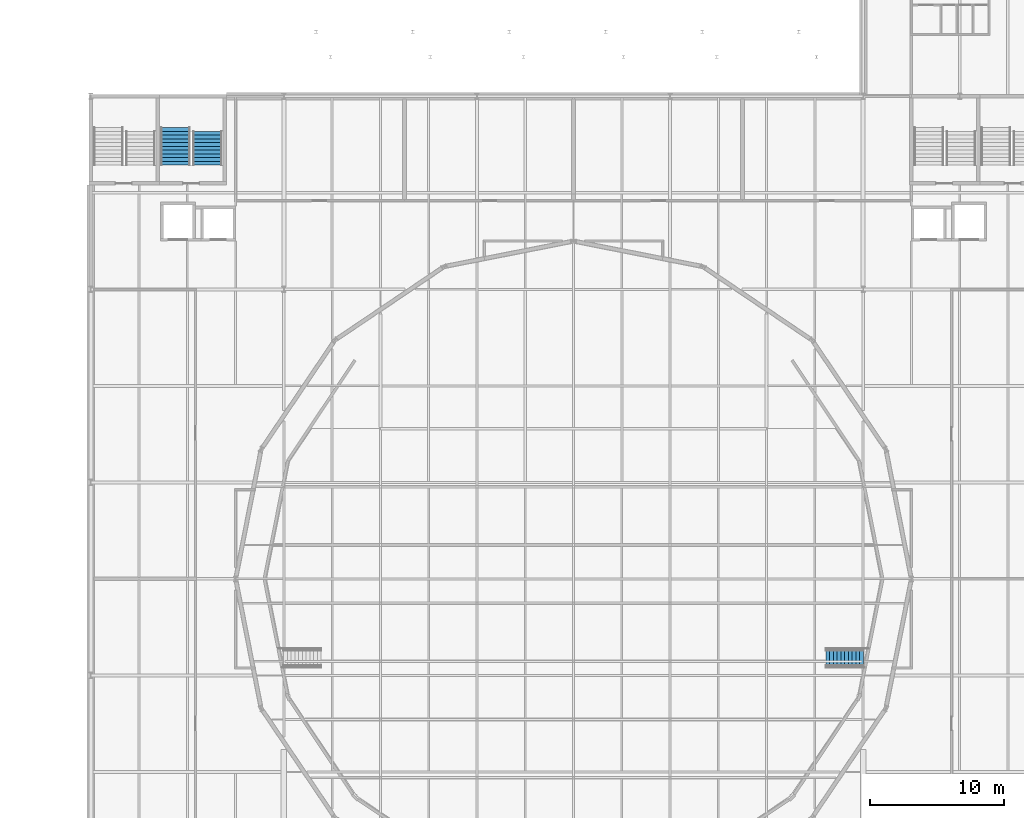
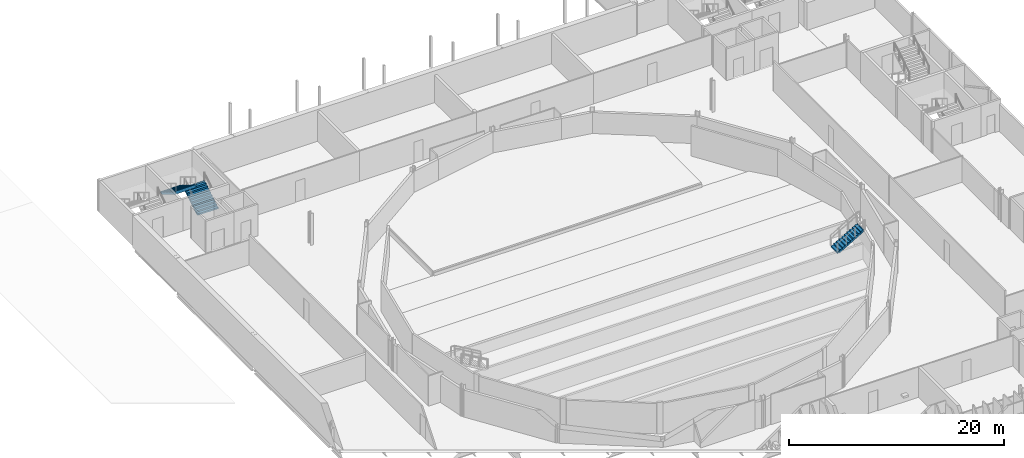
# One storey, part 69 of 90: 3 stair flights, 2 elements without a shape of their own.
"""IFC4 building model written with IfcOpenShell, lengths in metres."""

from ifc_helpers import new_model, si_unit, direction, frame, origin, place, context, subcontext, project, spatial, polyline, outline, extrude, material, type_object, element, aggregate, save


model = new_model("IFC4")

# Units and contexts
model_context = context("Model", 3, precision=1e-05, world=origin(), true_north=direction((0.0, 1.0)))
body_context = subcontext(model_context, "Body", "Model", "MODEL_VIEW")
ifc_project = project(units=[si_unit("LENGTHUNIT", "METRE"), si_unit("AREAUNIT", "SQUARE_METRE"), si_unit("VOLUMEUNIT", "CUBIC_METRE"), si_unit("PLANEANGLEUNIT", "RADIAN"), si_unit("MASSUNIT", "GRAM", prefix="KILO")], contexts=[model_context])

# Site, building, storey
site_placement = place(None, origin())
site = spatial("IfcSite", under=ifc_project, at=site_placement, CompositionType="ELEMENT")
building_placement = place(site_placement, origin())
building = spatial("IfcBuilding", under=site, at=building_placement, Name="Kupolbacken Congress Centre", CompositionType="ELEMENT")
storey_placement = place(building_placement, frame((0.0, 0.0, 3.60009765625)))
storey = spatial("IfcBuildingStorey", under=building, at=storey_placement, Name="L01", CompositionType="ELEMENT", Elevation=3.60009765625)

# Stair, stair flights
ifc_material_1 = material(Name="Concrete C30/37", Category="concrete")
stair_type_1 = type_object("IfcStairType", Name="ST13 stair 2200", PredefinedType="TWO_STRAIGHT_RUN_STAIR", material=ifc_material_1)
stair_1_placement = place(storey_placement, origin())
stair_1 = element("IfcStair", 1, at=stair_1_placement, inside=storey, type_object=stair_type_1, Name="C/stair/PS2NW/L01", PredefinedType="NOTDEFINED")
ifc_material_2 = material(Name="Concrete C30/37", Category="concrete")
stair_flight_type_1 = type_object("IfcStairFlightType", Name="FL13 stair flight 2200 x 10 risers", PredefinedType="STRAIGHT", material=ifc_material_2)
stair_flight_1_placement = place(storey_placement, frame((15.89990234375, 117.2548828125, 0.0), z_axis=(0.0, 0.0, 1.0), x_axis=(0.0, 1.0, 0.0)))
stair_flight_1 = element("IfcStairFlight", 2, at=stair_flight_1_placement, type_object=stair_flight_type_1, Name="PS2NW flight 1", NumberOfRisers=10, NumberOfTreads=9, PredefinedType="STRAIGHT", RiserHeight=0.171428571, TreadLength=0.28, context=body_context, shape_type="SweptSolid", body=[
    extrude(outline(polyline([(0.0, 0.0), (0.0, 0.0009765625), (0.0, 0.002197265625), (0.0, 0.003173828125), (0.0, 0.004150390625), (0.0, 0.00537109375), (0.0, 0.00634765625), (0.0, 0.007568359375), (0.0, 0.008544921875), (0.0, 0.009521484375), (0.0, 0.0107421875), (0.0, 0.01171875), (0.0, 0.0126953125), (0.0, 0.013916015625), (0.0, 0.014892578125), (0.0, 0.015869140625), (0.0, 0.01708984375), (0.0, 0.01806640625), (0.0, 0.019287109375), (0.0, 0.020263671875), (0.0, 0.021240234375), (0.0, 0.0224609375), (0.0, 0.0234375), (0.0, 0.0244140625), (0.0, 0.025634765625), (0.0, 0.026611328125), (0.0, 0.027587890625), (0.0, 0.02880859375), (0.0, 0.02978515625), (0.0, 0.03076171875), (0.0, 0.031982421875), (0.0, 0.032958984375), (0.0, 0.0341796875), (0.0, 0.03515625), (0.0, 0.0361328125), (0.0, 0.037353515625), (0.0, 0.038330078125), (0.0, 0.039306640625), (0.0, 0.04052734375), (0.0, 0.04150390625), (0.0, 0.04248046875), (0.0, 0.043701171875), (0.0, 0.044677734375), (0.0, 0.0458984375), (0.0, 0.046875), (0.0, 0.0478515625), (0.0, 0.049072265625), (0.0, 0.050048828125), (0.0, 0.051025390625), (0.0, 0.05224609375), (0.0, 0.05322265625), (0.0, 0.05419921875), (0.0, 0.055419921875), (0.0, 0.056396484375), (0.0, 0.0576171875), (0.0, 0.05859375), (0.0, 0.0595703125), (0.0, 0.060791015625), (0.0, 0.061767578125), (0.0, 0.062744140625), (0.0, 0.06396484375), (0.0, 0.06494140625), (0.0, 0.06591796875), (0.0, 0.067138671875), (0.0, 0.068115234375), (0.0, 0.069091796875), (0.0, 0.0703125), (0.0, 0.0712890625), (0.0, 0.072509765625), (0.0, 0.073486328125), (0.0, 0.074462890625), (0.0, 0.07568359375), (0.0, 0.07666015625), (0.0, 0.07763671875), (0.0, 0.078857421875), (0.0, 0.079833984375), (0.0, 0.080810546875), (0.0, 0.08203125), (0.0, 0.0830078125), (0.0, 0.084228515625), (0.0, 0.085205078125), (0.0, 0.086181640625), (0.0, 0.08740234375), (0.0, 0.08837890625), (0.0, 0.08935546875), (0.0, 0.090576171875), (0.0, 0.091552734375), (0.0, 0.092529296875), (0.0, 0.09375), (0.0, 0.0947265625), (0.0, 0.095947265625), (0.0, 0.096923828125), (0.0, 0.097900390625), (0.0, 0.09912109375), (0.0, 0.10009765625), (0.0, 0.10107421875), (0.0, 0.102294921875), (0.0, 0.103271484375), (0.0, 0.104248046875), (0.0, 0.10546875), (0.0, 0.1064453125), (0.0, 0.107421875), (0.0, 0.108642578125), (0.0, 0.109619140625), (0.0, 0.11083984375), (0.0, 0.11181640625), (0.0, 0.11279296875), (0.0, 0.114013671875), (0.0, 0.114990234375), (0.0, 0.115966796875), (0.0, 0.1171875), (0.0, 0.1181640625), (0.0, 0.119140625), (0.0, 0.120361328125), (0.0, 0.121337890625), (0.0, 0.12255859375), (0.0, 0.12353515625), (0.0, 0.12451171875), (0.0, 0.125732421875), (0.0, 0.126708984375), (0.0, 0.127685546875), (0.0, 0.12890625), (0.0, 0.1298828125), (0.0, 0.130859375), (0.0, 0.132080078125), (0.0, 0.133056640625), (0.0, 0.13427734375), (0.0, 0.13525390625), (0.0, 0.13623046875), (0.0, 0.137451171875), (0.0, 0.138427734375), (0.0, 0.139404296875), (0.0, 0.140625), (0.0, 0.1416015625), (0.0, 0.142578125), (0.0, 0.143798828125), (0.0, 0.144775390625), (0.0, 0.145751953125), (0.0, 0.14697265625), (0.0, 0.14794921875), (0.0, 0.149169921875), (0.0, 0.150146484375), (0.0, 0.151123046875), (0.0, 0.15234375), (0.0, 0.1533203125), (0.0, 0.154296875), (0.0, 0.155517578125), (0.0, 0.156494140625), (0.0, 0.157470703125), (0.0, 0.15869140625), (0.0, 0.15966796875), (0.0, 0.160888671875), (0.0, 0.161865234375), (0.0, 0.162841796875), (0.0, 0.1640625), (0.0, 0.1650390625), (0.0, 0.166015625), (0.0, 0.167236328125), (0.0, 0.168212890625), (0.0, 0.169189453125), (0.0, 0.17041015625), (0.0, 0.17138671875), (0.280029296875, 0.17138671875), (0.280029296875, 0.3427734375), (0.56005859375, 0.3427734375), (0.56005859375, 0.514404296875), (0.840087890625, 0.514404296875), (0.840087890625, 0.685791015625), (1.1201171875, 0.685791015625), (1.1201171875, 0.857177734375), (1.39990234375, 0.857177734375), (1.39990234375, 1.028564453125), (1.679931640625, 1.028564453125), (1.679931640625, 1.199951171875), (1.9599609375, 1.199951171875), (1.9599609375, 1.371337890625), (2.239990234375, 1.371337890625), (2.239990234375, 1.54296875), (2.52001953125, 1.54296875), (2.52001953125, 1.71435546875), (2.52197265625, 1.71435546875), (2.52197265625, 1.712158203125), (2.52197265625, 1.7099609375), (2.52197265625, 1.707763671875), (2.52197265625, 1.70556640625), (2.52197265625, 1.70361328125), (2.52197265625, 1.701416015625), (2.52197265625, 1.69921875), (2.52197265625, 1.697021484375), (2.52197265625, 1.69482421875), (2.52197265625, 1.692626953125), (2.52197265625, 1.690673828125), (2.52197265625, 1.6884765625), (2.52197265625, 1.686279296875), (2.52197265625, 1.68408203125), (2.52197265625, 1.681884765625), (2.52197265625, 1.6796875), (2.52197265625, 1.677734375), (2.52197265625, 1.675537109375), (2.52197265625, 1.67333984375), (2.52197265625, 1.671142578125), (2.52197265625, 1.6689453125), (2.52197265625, 1.666748046875), (2.52197265625, 1.664794921875), (2.52197265625, 1.66259765625), (2.52197265625, 1.660400390625), (2.52197265625, 1.658203125), (2.52197265625, 1.656005859375), (2.52197265625, 1.65380859375), (2.52197265625, 1.65185546875), (2.52197265625, 1.649658203125), (2.52197265625, 1.6474609375), (2.52197265625, 1.645263671875), (2.52197265625, 1.64306640625), (2.52197265625, 1.640869140625), (2.52197265625, 1.638916015625), (2.52197265625, 1.63671875), (2.52197265625, 1.634521484375), (2.52197265625, 1.63232421875), (2.52197265625, 1.630126953125), (2.52197265625, 1.6279296875), (2.52197265625, 1.6259765625), (2.52197265625, 1.623779296875), (2.52197265625, 1.62158203125), (2.52197265625, 1.619384765625), (2.52197265625, 1.6171875), (2.52197265625, 1.614990234375), (2.52197265625, 1.613037109375), (2.52197265625, 1.61083984375), (2.52197265625, 1.608642578125), (2.52197265625, 1.6064453125), (2.52197265625, 1.604248046875), (2.52197265625, 1.60205078125), (2.52197265625, 1.60009765625), (2.52197265625, 1.597900390625), (2.52197265625, 1.595703125), (2.52197265625, 1.593505859375), (2.52197265625, 1.59130859375), (2.52197265625, 1.589111328125), (2.52197265625, 1.587158203125), (2.52197265625, 1.5849609375), (2.52197265625, 1.582763671875), (2.52197265625, 1.58056640625), (2.52197265625, 1.578369140625), (2.52197265625, 1.576171875), (2.52197265625, 1.57421875), (2.52197265625, 1.572021484375), (2.52197265625, 1.56982421875), (2.52197265625, 1.567626953125), (2.52197265625, 1.5654296875), (2.52197265625, 1.563232421875), (2.52197265625, 1.561279296875), (2.52197265625, 1.55908203125), (2.52197265625, 1.556884765625), (2.52197265625, 1.5546875), (2.52197265625, 1.552490234375), (2.52197265625, 1.55029296875), (2.52197265625, 1.54833984375), (2.52197265625, 1.546142578125), (2.52197265625, 1.5439453125), (2.52197265625, 1.541748046875), (2.52197265625, 1.53955078125), (2.52197265625, 1.537353515625), (2.52197265625, 1.535400390625), (2.52197265625, 1.533203125), (2.52197265625, 1.531005859375), (2.52197265625, 1.52880859375), (2.52197265625, 1.526611328125), (2.52197265625, 1.5244140625), (2.52197265625, 1.5224609375), (2.52197265625, 1.520263671875), (2.52197265625, 1.51806640625), (2.52197265625, 1.515869140625), (2.52197265625, 1.513671875), (2.52197265625, 1.511474609375), (2.52197265625, 1.509521484375), (2.52197265625, 1.50732421875), (2.52197265625, 1.505126953125), (2.52197265625, 1.5029296875), (2.52197265625, 1.500732421875), (2.52197265625, 1.49853515625), (2.52197265625, 1.49658203125), (2.52197265625, 1.494384765625), (2.52197265625, 1.4921875), (2.52197265625, 1.489990234375), (2.52197265625, 1.48779296875), (2.52197265625, 1.485595703125), (2.52197265625, 1.483642578125), (2.52197265625, 1.4814453125), (2.52197265625, 1.479248046875), (2.52197265625, 1.47705078125), (2.52197265625, 1.474853515625), (2.52197265625, 1.47265625), (2.52197265625, 1.470703125), (2.52197265625, 1.468505859375), (2.52197265625, 1.46630859375), (2.52197265625, 1.464111328125), (2.52197265625, 1.4619140625), (2.52197265625, 1.459716796875), (2.52197265625, 1.457763671875), (2.52197265625, 1.45556640625), (2.52197265625, 1.453369140625), (2.52197265625, 1.451171875), (2.52197265625, 1.448974609375), (2.52197265625, 1.44677734375), (2.52197265625, 1.44482421875), (2.52197265625, 1.442626953125), (2.52197265625, 1.4404296875), (2.52197265625, 1.438232421875), (2.52197265625, 1.43603515625), (2.52197265625, 1.433837890625), (2.52197265625, 1.431884765625), (2.52197265625, 1.4296875), (2.52197265625, 1.427490234375), (2.52197265625, 1.42529296875), (2.52197265625, 1.423095703125), (2.52197265625, 1.4208984375), (2.52197265625, 1.4189453125), (2.52197265625, 1.416748046875), (2.52197265625, 1.41455078125), (2.52197265625, 1.412353515625), (2.52197265625, 1.41015625), (2.52197265625, 1.407958984375), (2.52197265625, 1.406005859375), (2.52197265625, 1.40380859375), (2.52197265625, 1.401611328125), (2.52197265625, 1.3994140625), (2.52197265625, 1.397216796875), (2.52197265625, 1.39501953125), (2.52197265625, 1.39306640625), (2.52197265625, 1.390869140625), (2.52197265625, 1.388671875), (2.52197265625, 1.386474609375), (2.52197265625, 1.38427734375), (2.52197265625, 1.382080078125), (2.52197265625, 1.380126953125), (2.52197265625, 1.3779296875), (2.52197265625, 1.375732421875), (2.52197265625, 1.37353515625), (2.52197265625, 1.371337890625), (2.52197265625, 1.369140625), (2.52197265625, 1.3671875), (0.2890625, 0.0), (0.0, 0.0)])), frame((0.0, 1.10009765625, 0.0), z_axis=(0.0, -1.0, 0.0), x_axis=(1.0, 0.0, 0.0)), (0.0, 0.0, 1.0), 2.199951171875),
])
ifc_material_3 = material(Name="Concrete C30/37", Category="concrete")
stair_flight_type_2 = type_object("IfcStairFlightType", Name="FL14 stair flight 2200 x 11 risers", PredefinedType="STRAIGHT", material=ifc_material_3)
stair_flight_2_placement = place(storey_placement, frame((13.5, 120.054931640625, 1.714111328125), z_axis=(0.0, 0.0, 1.0), x_axis=(0.0, -1.0, 0.0)))
stair_flight_2 = element("IfcStairFlight", 3, at=stair_flight_2_placement, type_object=stair_flight_type_2, Name="PS2NW flight 2", NumberOfRisers=11, NumberOfTreads=10, PredefinedType="STRAIGHT", RiserHeight=0.171428571, TreadLength=0.28, context=body_context, shape_type="SweptSolid", body=[
    extrude(outline(polyline([(0.0, 0.0), (0.0, 0.0009765625), (0.0, 0.002197265625), (0.0, 0.003173828125), (0.0, 0.004150390625), (0.0, 0.00537109375), (0.0, 0.00634765625), (0.0, 0.007568359375), (0.0, 0.008544921875), (0.0, 0.009521484375), (0.0, 0.0107421875), (0.0, 0.01171875), (0.0, 0.0126953125), (0.0, 0.013916015625), (0.0, 0.014892578125), (0.0, 0.015869140625), (0.0, 0.01708984375), (0.0, 0.01806640625), (0.0, 0.019287109375), (0.0, 0.020263671875), (0.0, 0.021240234375), (0.0, 0.0224609375), (0.0, 0.0234375), (0.0, 0.0244140625), (0.0, 0.025634765625), (0.0, 0.026611328125), (0.0, 0.027587890625), (0.0, 0.02880859375), (0.0, 0.02978515625), (0.0, 0.03076171875), (0.0, 0.031982421875), (0.0, 0.032958984375), (0.0, 0.0341796875), (0.0, 0.03515625), (0.0, 0.0361328125), (0.0, 0.037353515625), (0.0, 0.038330078125), (0.0, 0.039306640625), (0.0, 0.04052734375), (0.0, 0.04150390625), (0.0, 0.04248046875), (0.0, 0.043701171875), (0.0, 0.044677734375), (0.0, 0.0458984375), (0.0, 0.046875), (0.0, 0.0478515625), (0.0, 0.049072265625), (0.0, 0.050048828125), (0.0, 0.051025390625), (0.0, 0.05224609375), (0.0, 0.05322265625), (0.0, 0.05419921875), (0.0, 0.055419921875), (0.0, 0.056396484375), (0.0, 0.0576171875), (0.0, 0.05859375), (0.0, 0.0595703125), (0.0, 0.060791015625), (0.0, 0.061767578125), (0.0, 0.062744140625), (0.0, 0.06396484375), (0.0, 0.06494140625), (0.0, 0.06591796875), (0.0, 0.067138671875), (0.0, 0.068115234375), (0.0, 0.069091796875), (0.0, 0.0703125), (0.0, 0.0712890625), (0.0, 0.072509765625), (0.0, 0.073486328125), (0.0, 0.074462890625), (0.0, 0.07568359375), (0.0, 0.07666015625), (0.0, 0.07763671875), (0.0, 0.078857421875), (0.0, 0.079833984375), (0.0, 0.080810546875), (0.0, 0.08203125), (0.0, 0.0830078125), (0.0, 0.084228515625), (0.0, 0.085205078125), (0.0, 0.086181640625), (0.0, 0.08740234375), (0.0, 0.08837890625), (0.0, 0.08935546875), (0.0, 0.090576171875), (0.0, 0.091552734375), (0.0, 0.092529296875), (0.0, 0.09375), (0.0, 0.0947265625), (0.0, 0.095947265625), (0.0, 0.096923828125), (0.0, 0.097900390625), (0.0, 0.09912109375), (0.0, 0.10009765625), (0.0, 0.10107421875), (0.0, 0.102294921875), (0.0, 0.103271484375), (0.0, 0.104248046875), (0.0, 0.10546875), (0.0, 0.1064453125), (0.0, 0.107421875), (0.0, 0.108642578125), (0.0, 0.109619140625), (0.0, 0.11083984375), (0.0, 0.11181640625), (0.0, 0.11279296875), (0.0, 0.114013671875), (0.0, 0.114990234375), (0.0, 0.115966796875), (0.0, 0.1171875), (0.0, 0.1181640625), (0.0, 0.119140625), (0.0, 0.120361328125), (0.0, 0.121337890625), (0.0, 0.12255859375), (0.0, 0.12353515625), (0.0, 0.12451171875), (0.0, 0.125732421875), (0.0, 0.126708984375), (0.0, 0.127685546875), (0.0, 0.12890625), (0.0, 0.1298828125), (0.0, 0.130859375), (0.0, 0.132080078125), (0.0, 0.133056640625), (0.0, 0.13427734375), (0.0, 0.13525390625), (0.0, 0.13623046875), (0.0, 0.137451171875), (0.0, 0.138427734375), (0.0, 0.139404296875), (0.0, 0.140625), (0.0, 0.1416015625), (0.0, 0.142578125), (0.0, 0.143798828125), (0.0, 0.144775390625), (0.0, 0.145751953125), (0.0, 0.14697265625), (0.0, 0.14794921875), (0.0, 0.149169921875), (0.0, 0.150146484375), (0.0, 0.151123046875), (0.0, 0.15234375), (0.0, 0.1533203125), (0.0, 0.154296875), (0.0, 0.155517578125), (0.0, 0.156494140625), (0.0, 0.157470703125), (0.0, 0.15869140625), (0.0, 0.15966796875), (0.0, 0.160888671875), (0.0, 0.161865234375), (0.0, 0.162841796875), (0.0, 0.1640625), (0.0, 0.1650390625), (0.0, 0.166015625), (0.0, 0.167236328125), (0.0, 0.168212890625), (0.0, 0.169189453125), (0.0, 0.17041015625), (0.0, 0.17138671875), (0.280029296875, 0.17138671875), (0.280029296875, 0.3427734375), (0.56005859375, 0.3427734375), (0.56005859375, 0.514404296875), (0.840087890625, 0.514404296875), (0.840087890625, 0.685791015625), (1.1201171875, 0.685791015625), (1.1201171875, 0.857177734375), (1.39990234375, 0.857177734375), (1.39990234375, 1.028564453125), (1.679931640625, 1.028564453125), (1.679931640625, 1.199951171875), (1.9599609375, 1.199951171875), (1.9599609375, 1.371337890625), (2.239990234375, 1.371337890625), (2.239990234375, 1.54296875), (2.52001953125, 1.54296875), (2.52001953125, 1.71435546875), (2.800048828125, 1.71435546875), (2.800048828125, 1.8857421875), (2.802001953125, 1.8857421875), (2.802001953125, 1.883544921875), (2.802001953125, 1.88134765625), (2.802001953125, 1.879150390625), (2.802001953125, 1.877197265625), (2.802001953125, 1.875), (2.802001953125, 1.872802734375), (2.802001953125, 1.87060546875), (2.802001953125, 1.868408203125), (2.802001953125, 1.8662109375), (2.802001953125, 1.8642578125), (2.802001953125, 1.862060546875), (2.802001953125, 1.85986328125), (2.802001953125, 1.857666015625), (2.802001953125, 1.85546875), (2.802001953125, 1.853271484375), (2.802001953125, 1.851318359375), (2.802001953125, 1.84912109375), (2.802001953125, 1.846923828125), (2.802001953125, 1.8447265625), (2.802001953125, 1.842529296875), (2.802001953125, 1.84033203125), (2.802001953125, 1.83837890625), (2.802001953125, 1.836181640625), (2.802001953125, 1.833984375), (2.802001953125, 1.831787109375), (2.802001953125, 1.82958984375), (2.802001953125, 1.827392578125), (2.802001953125, 1.825439453125), (2.802001953125, 1.8232421875), (2.802001953125, 1.821044921875), (2.802001953125, 1.81884765625), (2.802001953125, 1.816650390625), (2.802001953125, 1.814453125), (2.802001953125, 1.8125), (2.802001953125, 1.810302734375), (2.802001953125, 1.80810546875), (2.802001953125, 1.805908203125), (2.802001953125, 1.8037109375), (2.802001953125, 1.801513671875), (2.802001953125, 1.799560546875), (2.802001953125, 1.79736328125), (2.802001953125, 1.795166015625), (2.802001953125, 1.79296875), (2.802001953125, 1.790771484375), (2.802001953125, 1.78857421875), (2.802001953125, 1.78662109375), (2.802001953125, 1.784423828125), (2.802001953125, 1.7822265625), (2.802001953125, 1.780029296875), (2.802001953125, 1.77783203125), (2.802001953125, 1.775634765625), (2.802001953125, 1.773681640625), (2.802001953125, 1.771484375), (2.802001953125, 1.769287109375), (2.802001953125, 1.76708984375), (2.802001953125, 1.764892578125), (2.802001953125, 1.7626953125), (2.802001953125, 1.7607421875), (2.802001953125, 1.758544921875), (2.802001953125, 1.75634765625), (2.802001953125, 1.754150390625), (2.802001953125, 1.751953125), (2.802001953125, 1.749755859375), (2.802001953125, 1.747802734375), (2.802001953125, 1.74560546875), (2.802001953125, 1.743408203125), (2.802001953125, 1.7412109375), (2.802001953125, 1.739013671875), (2.802001953125, 1.73681640625), (2.802001953125, 1.73486328125), (2.802001953125, 1.732666015625), (2.802001953125, 1.73046875), (2.802001953125, 1.728271484375), (2.802001953125, 1.72607421875), (2.802001953125, 1.723876953125), (2.802001953125, 1.721923828125), (2.802001953125, 1.7197265625), (2.802001953125, 1.717529296875), (2.802001953125, 1.71533203125), (2.802001953125, 1.713134765625), (2.802001953125, 1.7109375), (2.802001953125, 1.708984375), (2.802001953125, 1.706787109375), (2.802001953125, 1.70458984375), (2.802001953125, 1.702392578125), (2.802001953125, 1.7001953125), (2.802001953125, 1.697998046875), (2.802001953125, 1.696044921875), (2.802001953125, 1.69384765625), (2.802001953125, 1.691650390625), (2.802001953125, 1.689453125), (2.802001953125, 1.687255859375), (2.802001953125, 1.68505859375), (2.802001953125, 1.68310546875), (2.802001953125, 1.680908203125), (2.802001953125, 1.6787109375), (2.802001953125, 1.676513671875), (2.802001953125, 1.67431640625), (2.802001953125, 1.672119140625), (2.802001953125, 1.670166015625), (2.802001953125, 1.66796875), (2.802001953125, 1.665771484375), (2.802001953125, 1.66357421875), (2.802001953125, 1.661376953125), (2.802001953125, 1.6591796875), (2.802001953125, 1.6572265625), (2.802001953125, 1.655029296875), (2.802001953125, 1.65283203125), (2.802001953125, 1.650634765625), (2.802001953125, 1.6484375), (2.802001953125, 1.646240234375), (2.802001953125, 1.644287109375), (2.802001953125, 1.64208984375), (2.802001953125, 1.639892578125), (2.802001953125, 1.6376953125), (2.802001953125, 1.635498046875), (2.802001953125, 1.63330078125), (2.802001953125, 1.63134765625), (2.802001953125, 1.629150390625), (2.802001953125, 1.626953125), (2.802001953125, 1.624755859375), (2.802001953125, 1.62255859375), (2.802001953125, 1.620361328125), (2.802001953125, 1.618408203125), (2.802001953125, 1.6162109375), (2.802001953125, 1.614013671875), (2.802001953125, 1.61181640625), (2.802001953125, 1.609619140625), (2.802001953125, 1.607421875), (2.802001953125, 1.60546875), (2.802001953125, 1.603271484375), (2.802001953125, 1.60107421875), (2.802001953125, 1.598876953125), (2.802001953125, 1.5966796875), (2.802001953125, 1.594482421875), (2.802001953125, 1.592529296875), (2.802001953125, 1.59033203125), (2.802001953125, 1.588134765625), (2.802001953125, 1.5859375), (2.802001953125, 1.583740234375), (2.802001953125, 1.58154296875), (2.802001953125, 1.57958984375), (2.802001953125, 1.577392578125), (2.802001953125, 1.5751953125), (2.802001953125, 1.572998046875), (2.802001953125, 1.57080078125), (2.802001953125, 1.568603515625), (2.802001953125, 1.566650390625), (2.802001953125, 1.564453125), (2.802001953125, 1.562255859375), (2.802001953125, 1.56005859375), (2.802001953125, 1.557861328125), (2.802001953125, 1.5556640625), (2.802001953125, 1.5537109375), (2.802001953125, 1.551513671875), (2.802001953125, 1.54931640625), (2.802001953125, 1.547119140625), (2.802001953125, 1.544921875), (2.802001953125, 1.542724609375), (2.802001953125, 1.540771484375), (2.802001953125, 1.53857421875), (0.2890625, 0.0), (0.0, 0.0)])), frame((0.0, 1.10009765625, 0.0), z_axis=(0.0, -1.0, 0.0), x_axis=(1.0, 0.0, 0.0)), (0.0, 0.0, 1.0), 2.199951171875),
])
aggregate(stair_1, [stair_flight_1, stair_flight_2])

# Stair, stair flight
ifc_material_4 = material(Name="Steel S355", Category="steel")
stair_type_2 = type_object("IfcStairType", Name="ST14 aisle stair 1200", PredefinedType="STRAIGHT_RUN_STAIR", material=ifc_material_4)
stair_2_placement = place(storey_placement, origin())
stair_2 = element("IfcStair", 4, at=stair_2_placement, inside=storey, type_object=stair_type_2, Name="PD/aisle/PA-S-2", PredefinedType="NOTDEFINED")
ifc_material_5 = material(Name="Steel S355", Category="steel")
stair_flight_type_3 = type_object("IfcStairFlightType", Name="FL16 stair flight 1200 x 11 risers of 162.6", PredefinedType="STRAIGHT", material=ifc_material_5)
stair_flight_3_placement = place(storey_placement, frame((62.021728515625, 80.5, 1.8115234375), z_axis=(0.0, 0.0, 1.0), x_axis=(1.0, 0.0, 0.0)))
stair_flight_3 = element("IfcStairFlight", 5, at=stair_flight_3_placement, type_object=stair_flight_type_3, Name="ST14 flight 1", NumberOfRisers=11, NumberOfTreads=10, PredefinedType="STRAIGHT", RiserHeight=0.162590909, TreadLength=0.28, context=body_context, shape_type="SweptSolid", body=[
    extrude(outline(polyline([(0.0, 0.0), (0.0, 0.0009765625), (0.0, 0.001953125), (0.0, 0.0029296875), (0.0, 0.004150390625), (0.0, 0.005126953125), (0.0, 0.006103515625), (0.0, 0.007080078125), (0.0, 0.008056640625), (0.0, 0.009033203125), (0.0, 0.010009765625), (0.0, 0.01123046875), (0.0, 0.01220703125), (0.0, 0.01318359375), (0.0, 0.01416015625), (0.0, 0.01513671875), (0.0, 0.01611328125), (0.0, 0.01708984375), (0.0, 0.01806640625), (0.0, 0.019287109375), (0.0, 0.020263671875), (0.0, 0.021240234375), (0.0, 0.022216796875), (0.0, 0.023193359375), (0.0, 0.024169921875), (0.0, 0.025146484375), (0.0, 0.0263671875), (0.0, 0.02734375), (0.0, 0.0283203125), (0.0, 0.029296875), (0.0, 0.0302734375), (0.0, 0.03125), (0.0, 0.0322265625), (0.0, 0.033447265625), (0.0, 0.034423828125), (0.0, 0.035400390625), (0.0, 0.036376953125), (0.0, 0.037353515625), (0.0, 0.038330078125), (0.0, 0.039306640625), (0.0, 0.040283203125), (0.0, 0.04150390625), (0.0, 0.04248046875), (0.0, 0.04345703125), (0.0, 0.04443359375), (0.0, 0.04541015625), (0.0, 0.04638671875), (0.0, 0.04736328125), (0.0, 0.048583984375), (0.0, 0.049560546875), (0.0, 0.050537109375), (0.0, 0.051513671875), (0.0, 0.052490234375), (0.0, 0.053466796875), (0.0, 0.054443359375), (0.0, 0.0556640625), (0.0, 0.056640625), (0.0, 0.0576171875), (0.0, 0.05859375), (0.0, 0.0595703125), (0.0, 0.060546875), (0.0, 0.0615234375), (0.0, 0.0625), (0.0, 0.063720703125), (0.0, 0.064697265625), (0.0, 0.065673828125), (0.0, 0.066650390625), (0.0, 0.067626953125), (0.0, 0.068603515625), (0.0, 0.069580078125), (0.0, 0.07080078125), (0.0, 0.07177734375), (0.0, 0.07275390625), (0.0, 0.07373046875), (0.0, 0.07470703125), (0.0, 0.07568359375), (0.0, 0.07666015625), (0.0, 0.077880859375), (0.0, 0.078857421875), (0.0, 0.079833984375), (0.0, 0.080810546875), (0.0, 0.081787109375), (0.0, 0.082763671875), (0.0, 0.083740234375), (0.0, 0.084716796875), (0.0, 0.0859375), (0.0, 0.0869140625), (0.0, 0.087890625), (0.0, 0.0888671875), (0.0, 0.08984375), (0.0, 0.0908203125), (0.0, 0.091796875), (0.0, 0.093017578125), (0.0, 0.093994140625), (0.0, 0.094970703125), (0.0, 0.095947265625), (0.0, 0.096923828125), (0.0, 0.097900390625), (0.0, 0.098876953125), (0.0, 0.10009765625), (0.0, 0.10107421875), (0.0, 0.10205078125), (0.0, 0.10302734375), (0.0, 0.10400390625), (0.0, 0.10498046875), (0.0, 0.10595703125), (0.0, 0.10693359375), (0.0, 0.108154296875), (0.0, 0.109130859375), (0.0, 0.110107421875), (0.0, 0.111083984375), (0.0, 0.112060546875), (0.0, 0.113037109375), (0.0, 0.114013671875), (0.0, 0.115234375), (0.0, 0.1162109375), (0.0, 0.1171875), (0.0, 0.1181640625), (0.0, 0.119140625), (0.0, 0.1201171875), (0.0, 0.12109375), (0.0, 0.122314453125), (0.0, 0.123291015625), (0.0, 0.124267578125), (0.0, 0.125244140625), (0.0, 0.126220703125), (0.0, 0.127197265625), (0.0, 0.128173828125), (0.0, 0.129150390625), (0.0, 0.13037109375), (0.0, 0.13134765625), (0.0, 0.13232421875), (0.0, 0.13330078125), (0.0, 0.13427734375), (0.0, 0.13525390625), (0.0, 0.13623046875), (0.0, 0.137451171875), (0.0, 0.138427734375), (0.0, 0.139404296875), (0.0, 0.140380859375), (0.0, 0.141357421875), (0.0, 0.142333984375), (0.0, 0.143310546875), (0.0, 0.14453125), (0.0, 0.1455078125), (0.0, 0.146484375), (0.0, 0.1474609375), (0.0, 0.1484375), (0.0, 0.1494140625), (0.0, 0.150390625), (0.0, 0.1513671875), (0.0, 0.152587890625), (0.0, 0.153564453125), (0.0, 0.154541015625), (0.0, 0.155517578125), (0.0, 0.156494140625), (0.0, 0.157470703125), (0.0, 0.158447265625), (0.0, 0.15966796875), (0.0, 0.16064453125), (0.0, 0.16162109375), (0.0, 0.16259765625), (0.280029296875, 0.16259765625), (0.280029296875, 0.3251953125), (0.56005859375, 0.3251953125), (0.56005859375, 0.48779296875), (0.840087890625, 0.48779296875), (0.840087890625, 0.650390625), (1.1201171875, 0.650390625), (1.1201171875, 0.81298828125), (1.39990234375, 0.81298828125), (1.39990234375, 0.9755859375), (1.679931640625, 0.9755859375), (1.679931640625, 1.13818359375), (1.9599609375, 1.13818359375), (1.9599609375, 1.30078125), (2.239990234375, 1.30078125), (2.239990234375, 1.46337890625), (2.52001953125, 1.46337890625), (2.52001953125, 1.6259765625), (2.800048828125, 1.6259765625), (2.800048828125, 1.78857421875), (2.802001953125, 1.78857421875), (2.802001953125, 1.786376953125), (2.802001953125, 1.784423828125), (2.802001953125, 1.7822265625), (2.802001953125, 1.7802734375), (2.802001953125, 1.778076171875), (2.802001953125, 1.77587890625), (2.802001953125, 1.77392578125), (2.802001953125, 1.771728515625), (2.802001953125, 1.769775390625), (2.802001953125, 1.767578125), (2.802001953125, 1.765625), (2.802001953125, 1.763427734375), (2.802001953125, 1.761474609375), (2.802001953125, 1.75927734375), (2.802001953125, 1.757080078125), (2.802001953125, 1.755126953125), (2.802001953125, 1.7529296875), (2.802001953125, 1.7509765625), (2.802001953125, 1.748779296875), (2.802001953125, 1.746826171875), (2.802001953125, 1.74462890625), (2.802001953125, 1.74267578125), (2.802001953125, 1.740478515625), (2.802001953125, 1.738525390625), (2.802001953125, 1.736328125), (2.802001953125, 1.734130859375), (2.802001953125, 1.732177734375), (2.802001953125, 1.72998046875), (2.802001953125, 1.72802734375), (2.802001953125, 1.725830078125), (2.802001953125, 1.723876953125), (2.802001953125, 1.7216796875), (2.802001953125, 1.7197265625), (2.802001953125, 1.717529296875), (2.802001953125, 1.715576171875), (2.802001953125, 1.71337890625), (2.802001953125, 1.711181640625), (2.802001953125, 1.709228515625), (2.802001953125, 1.70703125), (2.802001953125, 1.705078125), (2.802001953125, 1.702880859375), (2.802001953125, 1.700927734375), (2.802001953125, 1.69873046875), (2.802001953125, 1.69677734375), (2.802001953125, 1.694580078125), (2.802001953125, 1.692626953125), (2.802001953125, 1.6904296875), (2.802001953125, 1.688232421875), (2.802001953125, 1.686279296875), (2.802001953125, 1.68408203125), (2.802001953125, 1.68212890625), (2.802001953125, 1.679931640625), (2.802001953125, 1.677978515625), (2.802001953125, 1.67578125), (2.802001953125, 1.673828125), (2.802001953125, 1.671630859375), (2.802001953125, 1.669677734375), (2.802001953125, 1.66748046875), (2.802001953125, 1.665283203125), (2.802001953125, 1.663330078125), (2.802001953125, 1.6611328125), (2.802001953125, 1.6591796875), (2.802001953125, 1.656982421875), (2.802001953125, 1.655029296875), (2.802001953125, 1.65283203125), (2.802001953125, 1.65087890625), (2.802001953125, 1.648681640625), (2.802001953125, 1.646728515625), (2.802001953125, 1.64453125), (2.802001953125, 1.642333984375), (2.802001953125, 1.640380859375), (2.802001953125, 1.63818359375), (2.802001953125, 1.63623046875), (2.802001953125, 1.634033203125), (2.802001953125, 1.632080078125), (2.802001953125, 1.6298828125), (2.802001953125, 1.6279296875), (2.802001953125, 1.625732421875), (2.802001953125, 1.623779296875), (2.802001953125, 1.62158203125), (2.802001953125, 1.619384765625), (2.802001953125, 1.617431640625), (2.802001953125, 1.615234375), (2.802001953125, 1.61328125), (2.802001953125, 1.611083984375), (2.802001953125, 1.609130859375), (2.802001953125, 1.60693359375), (2.802001953125, 1.60498046875), (2.802001953125, 1.602783203125), (2.802001953125, 1.600830078125), (2.802001953125, 1.5986328125), (2.802001953125, 1.596435546875), (2.802001953125, 1.594482421875), (2.802001953125, 1.59228515625), (2.802001953125, 1.59033203125), (2.802001953125, 1.588134765625), (2.802001953125, 1.586181640625), (2.802001953125, 1.583984375), (2.802001953125, 1.58203125), (2.802001953125, 1.579833984375), (2.802001953125, 1.577880859375), (2.802001953125, 1.57568359375), (2.802001953125, 1.573486328125), (2.802001953125, 1.571533203125), (2.802001953125, 1.5693359375), (2.802001953125, 1.5673828125), (2.802001953125, 1.565185546875), (2.802001953125, 1.563232421875), (2.802001953125, 1.56103515625), (2.802001953125, 1.55908203125), (2.802001953125, 1.556884765625), (2.802001953125, 1.5546875), (2.802001953125, 1.552734375), (2.802001953125, 1.550537109375), (2.802001953125, 1.548583984375), (2.802001953125, 1.54638671875), (2.802001953125, 1.54443359375), (2.802001953125, 1.542236328125), (2.802001953125, 1.540283203125), (2.802001953125, 1.5380859375), (2.802001953125, 1.5361328125), (2.802001953125, 1.533935546875), (2.802001953125, 1.53173828125), (2.802001953125, 1.52978515625), (2.802001953125, 1.527587890625), (2.802001953125, 1.525634765625), (2.802001953125, 1.5234375), (2.802001953125, 1.521484375), (2.802001953125, 1.519287109375), (2.802001953125, 1.517333984375), (2.802001953125, 1.51513671875), (2.802001953125, 1.51318359375), (2.802001953125, 1.510986328125), (2.802001953125, 1.5087890625), (2.802001953125, 1.5068359375), (2.802001953125, 1.504638671875), (2.802001953125, 1.502685546875), (2.802001953125, 1.50048828125), (2.802001953125, 1.49853515625), (2.802001953125, 1.496337890625), (2.802001953125, 1.494384765625), (2.802001953125, 1.4921875), (2.802001953125, 1.490234375), (2.802001953125, 1.488037109375), (2.802001953125, 1.48583984375), (2.802001953125, 1.48388671875), (2.802001953125, 1.481689453125), (2.802001953125, 1.479736328125), (2.802001953125, 1.4775390625), (2.802001953125, 1.4755859375), (2.802001953125, 1.473388671875), (2.802001953125, 1.471435546875), (2.802001953125, 1.46923828125), (2.802001953125, 1.46728515625), (2.802001953125, 1.465087890625), (2.802001953125, 1.462890625), (2.802001953125, 1.4609375), (2.802001953125, 1.458740234375), (2.802001953125, 1.456787109375), (2.802001953125, 1.45458984375), (2.802001953125, 1.45263671875), (0.300537109375, 0.0), (0.0, 0.0)])), frame((0.0, 0.60009765625, 0.0), z_axis=(0.0, -1.0, 0.0), x_axis=(1.0, 0.0, 0.0)), (0.0, 0.0, 1.0), 1.199951171875),
])
aggregate(stair_2, [stair_flight_3])

save(model, "model.ifc")
